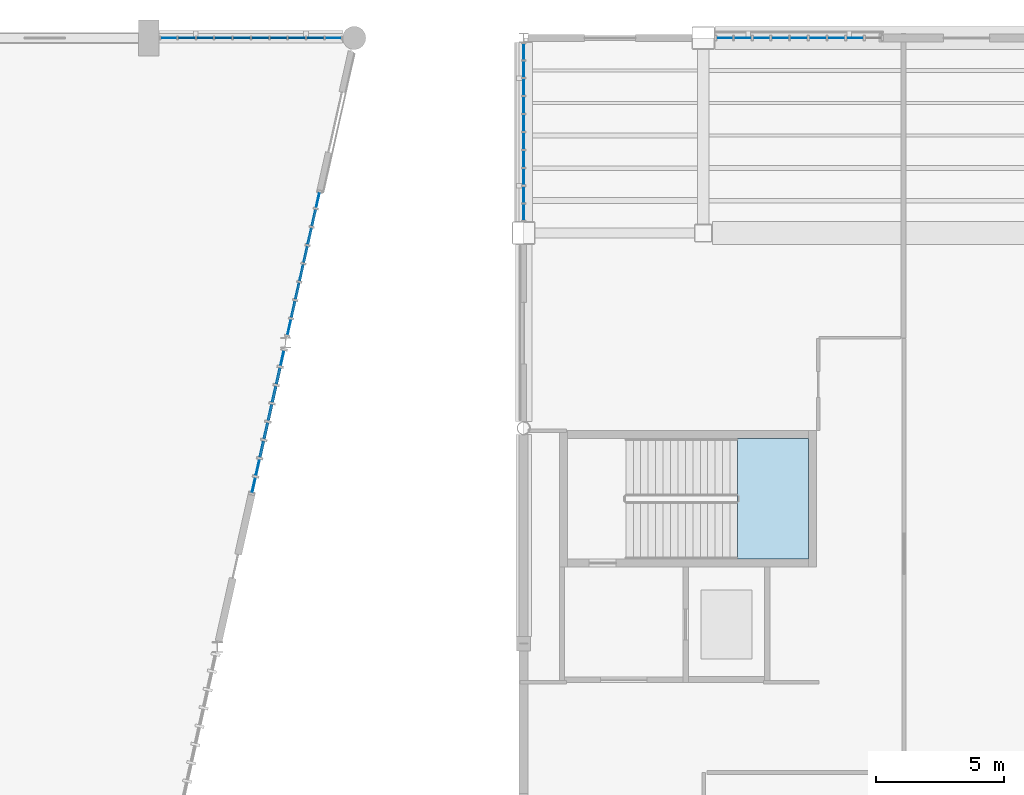
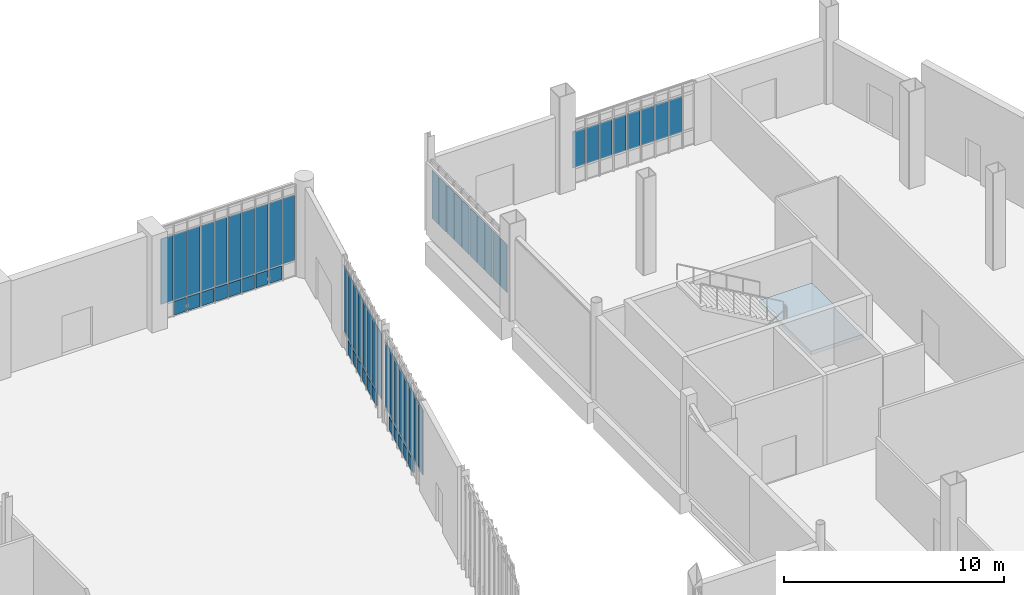
# One storey, part 68 of 111: 63 plates, 1 slab, 6 elements without a shape of their own.
"""IFC4 building model written with IfcOpenShell, lengths in metres."""

from ifc_helpers import new_model, si_unit, direction, frame, origin, origin_2d, place, context, subcontext, project, spatial, polyline, rectangle, outline, extrude, material, layer, layer_set, type_object, element, aggregate, save


model = new_model("IFC4")

# Units and contexts
model_context = context("Model", 3, precision=1e-05, world=origin(), true_north=direction((0.0, 1.0)))
body_context = subcontext(model_context, "Body", "Model", "MODEL_VIEW")
ifc_project = project(units=[si_unit("LENGTHUNIT", "METRE"), si_unit("AREAUNIT", "SQUARE_METRE"), si_unit("VOLUMEUNIT", "CUBIC_METRE"), si_unit("PLANEANGLEUNIT", "RADIAN"), si_unit("MASSUNIT", "GRAM", prefix="KILO")], contexts=[model_context])

# Site, building, storey
site_placement = place(None, origin())
site = spatial("IfcSite", under=ifc_project, at=site_placement, CompositionType="ELEMENT")
building_placement = place(site_placement, origin())
building = spatial("IfcBuilding", under=site, at=building_placement, Name="Larkvane Passage Sports Hall", CompositionType="ELEMENT")
storey_placement = place(building_placement, origin())
storey = spatial("IfcBuildingStorey", under=building, at=storey_placement, Name="L00", CompositionType="ELEMENT", Elevation=0.0)

# Curtain wall, plates
ifc_material_1 = material(Name="Thermally broken aluminium and low-E glazing", Category="aluminium")
curtain_wall_type_1 = type_object("IfcCurtainWallType", Name="CW-STICK-FOYER", PredefinedType="USERDEFINED", material=ifc_material_1)
curtain_wall_1_placement = place(storey_placement, origin())
curtain_wall_1 = element("IfcCurtainWall", 1, at=curtain_wall_1_placement, inside=storey, type_object=curtain_wall_type_1, Name="Curtain wall CW5-L00-014", ObjectType="STICK CURTAIN WALL", PredefinedType="USERDEFINED")
ifc_material_2 = material(Name="Fire-stopped shadow-box spandrel panel")
ifc_layer_1 = layer(ifc_material_2, 0.10498046875)
ifc_layer_set_1 = layer_set([ifc_layer_1], Name="Fire-stopped shadow-box spandrel panel")
plate_type_1 = type_object("IfcPlateType", Name="CWP-SPD-105", PredefinedType="CURTAIN_PANEL", material=ifc_layer_set_1)
plate_1_placement = place(storey_placement, frame((115.040771484375, 86.031494140625, 0.080078125), z_axis=(0.0, 0.0, 1.0), x_axis=(-0.219244189156, -0.975670018767, 0.0)))
plate_1 = element("IfcPlate", 2, at=plate_1_placement, type_object=plate_type_1, Name="CW-03 panel 2.1", PredefinedType="CURTAIN_PANEL", context=body_context, shape_type="SweptSolid", body=[
    extrude(rectangle(XDim=0.650390625, YDim=0.10498046875, at=origin_2d()), origin(), (0.0, 0.0, 1.0), 0.72998046875),
])
plate_2_placement = place(storey_placement, frame((114.880615234375, 85.31884765625, 0.080078125), z_axis=(0.0, 0.0, 1.0), x_axis=(-0.219244189156, -0.975670018767, 0.0)))
plate_2 = element("IfcPlate", 3, at=plate_2_placement, type_object=plate_type_1, Name="CW-03 panel 3.1", PredefinedType="CURTAIN_PANEL", context=body_context, shape_type="SweptSolid", body=[
    extrude(rectangle(XDim=0.650390625, YDim=0.10498046875, at=origin_2d()), origin(), (0.0, 0.0, 1.0), 0.72998046875),
])
plate_3_placement = place(storey_placement, frame((114.720458984375, 84.6064453125, 0.080078125), z_axis=(0.0, 0.0, 1.0), x_axis=(-0.219244189156, -0.975670018767, 0.0)))
plate_3 = element("IfcPlate", 4, at=plate_3_placement, type_object=plate_type_1, Name="CW-03 panel 4.1", PredefinedType="CURTAIN_PANEL", context=body_context, shape_type="SweptSolid", body=[
    extrude(rectangle(XDim=0.650390625, YDim=0.10498046875, at=origin_2d()), origin(), (0.0, 0.0, 1.0), 0.72998046875),
])
plate_4_placement = place(storey_placement, frame((114.560302734375, 83.893798828125, 0.080078125), z_axis=(0.0, 0.0, 1.0), x_axis=(-0.219244189156, -0.975670018767, 0.0)))
plate_4 = element("IfcPlate", 5, at=plate_4_placement, type_object=plate_type_1, Name="CW-03 panel 5.1", PredefinedType="CURTAIN_PANEL", context=body_context, shape_type="SweptSolid", body=[
    extrude(rectangle(XDim=0.650390625, YDim=0.10498046875, at=origin_2d()), origin(), (0.0, 0.0, 1.0), 0.72998046875),
])
plate_5_placement = place(storey_placement, frame((114.400390625, 83.181396484375, 0.080078125), z_axis=(0.0, 0.0, 1.0), x_axis=(-0.219244189156, -0.975670018767, 0.0)))
plate_5 = element("IfcPlate", 6, at=plate_5_placement, type_object=plate_type_1, Name="CW-03 panel 6.1", PredefinedType="CURTAIN_PANEL", context=body_context, shape_type="SweptSolid", body=[
    extrude(rectangle(XDim=0.650390625, YDim=0.10498046875, at=origin_2d()), origin(), (0.0, 0.0, 1.0), 0.72998046875),
])

curtain_wall_type_2 = type_object("IfcCurtainWallType", Name="CW-UNIT-COURT", PredefinedType="USERDEFINED", material=ifc_material_1)
curtain_wall_2_placement = place(storey_placement, origin())
curtain_wall_2 = element("IfcCurtainWall", 7, at=curtain_wall_2_placement, inside=storey, type_object=curtain_wall_type_2, Name="Curtain wall CW5-L00-012", ObjectType="UNITISED CURTAIN WALL", PredefinedType="USERDEFINED")
ifc_material_3 = material(Name="Insulated aluminium spandrel panel", Category="aluminium")
ifc_layer_2 = layer(ifc_material_3, 0.06494140625)
ifc_layer_set_2 = layer_set([ifc_layer_2], Name="Insulated aluminium spandrel panel")
plate_type_2 = type_object("IfcPlateType", Name="CWP-SPD-65", PredefinedType="CURTAIN_PANEL", material=ifc_layer_set_2)
plate_6_placement = place(storey_placement, frame((111.4697265625, 99.199951171875, 0.06005859375), z_axis=(0.0, 0.0, 1.0), x_axis=(1.0, 0.0, 0.0)))
plate_6 = element("IfcPlate", 8, at=plate_6_placement, type_object=plate_type_2, Name="CW-01 panel 2.1", PredefinedType="CURTAIN_PANEL", context=body_context, shape_type="SweptSolid", body=[
    extrude(rectangle(XDim=0.65576171875, YDim=0.06494140625, at=origin_2d()), origin(), (0.0, 0.0, 1.0), 0.760009765625),
])
plate_7_placement = place(storey_placement, frame((112.185546875, 99.199951171875, 0.06005859375), z_axis=(0.0, 0.0, 1.0), x_axis=(1.0, 0.0, 0.0)))
plate_7 = element("IfcPlate", 9, at=plate_7_placement, type_object=plate_type_2, Name="CW-01 panel 3.1", PredefinedType="CURTAIN_PANEL", context=body_context, shape_type="SweptSolid", body=[
    extrude(rectangle(XDim=0.65576171875, YDim=0.06494140625, at=origin_2d()), origin(), (0.0, 0.0, 1.0), 0.760009765625),
])
plate_8_placement = place(storey_placement, frame((112.9013671875, 99.199951171875, 0.06005859375), z_axis=(0.0, 0.0, 1.0), x_axis=(1.0, 0.0, 0.0)))
plate_8 = element("IfcPlate", 10, at=plate_8_placement, type_object=plate_type_2, Name="CW-01 panel 4.1", PredefinedType="CURTAIN_PANEL", context=body_context, shape_type="SweptSolid", body=[
    extrude(rectangle(XDim=0.65576171875, YDim=0.06494140625, at=origin_2d()), origin(), (0.0, 0.0, 1.0), 0.760009765625),
])
plate_9_placement = place(storey_placement, frame((113.6171875, 99.199951171875, 0.06005859375), z_axis=(0.0, 0.0, 1.0), x_axis=(1.0, 0.0, 0.0)))
plate_9 = element("IfcPlate", 11, at=plate_9_placement, type_object=plate_type_2, Name="CW-01 panel 5.1", PredefinedType="CURTAIN_PANEL", context=body_context, shape_type="SweptSolid", body=[
    extrude(rectangle(XDim=0.65576171875, YDim=0.06494140625, at=origin_2d()), origin(), (0.0, 0.0, 1.0), 0.760009765625),
])
plate_10_placement = place(storey_placement, frame((114.3330078125, 99.199951171875, 0.06005859375), z_axis=(0.0, 0.0, 1.0), x_axis=(1.0, 0.0, 0.0)))
plate_10 = element("IfcPlate", 12, at=plate_10_placement, type_object=plate_type_2, Name="CW-01 panel 6.1", PredefinedType="CURTAIN_PANEL", context=body_context, shape_type="SweptSolid", body=[
    extrude(rectangle(XDim=0.65576171875, YDim=0.06494140625, at=origin_2d()), origin(), (0.0, 0.0, 1.0), 0.760009765625),
])
plate_11_placement = place(storey_placement, frame((115.048583984375, 99.199951171875, 0.06005859375), z_axis=(0.0, 0.0, 1.0), x_axis=(1.0, 0.0, 0.0)))
plate_11 = element("IfcPlate", 13, at=plate_11_placement, type_object=plate_type_2, Name="CW-01 panel 7.1", PredefinedType="CURTAIN_PANEL", context=body_context, shape_type="SweptSolid", body=[
    extrude(rectangle(XDim=0.65576171875, YDim=0.06494140625, at=origin_2d()), origin(), (0.0, 0.0, 1.0), 0.760009765625),
])
plate_12_placement = place(storey_placement, frame((115.764404296875, 99.199951171875, 0.06005859375), z_axis=(0.0, 0.0, 1.0), x_axis=(1.0, 0.0, 0.0)))
plate_12 = element("IfcPlate", 14, at=plate_12_placement, type_object=plate_type_2, Name="CW-01 panel 8.1", PredefinedType="CURTAIN_PANEL", context=body_context, shape_type="SweptSolid", body=[
    extrude(rectangle(XDim=0.65576171875, YDim=0.06494140625, at=origin_2d()), origin(), (0.0, 0.0, 1.0), 0.760009765625),
])
plate_13_placement = place(storey_placement, frame((116.480224609375, 99.199951171875, 0.06005859375), z_axis=(0.0, 0.0, 1.0), x_axis=(1.0, 0.0, 0.0)))
plate_13 = element("IfcPlate", 15, at=plate_13_placement, type_object=plate_type_2, Name="CW-01 panel 9.1", PredefinedType="CURTAIN_PANEL", context=body_context, shape_type="SweptSolid", body=[
    extrude(rectangle(XDim=0.65576171875, YDim=0.06494140625, at=origin_2d()), origin(), (0.0, 0.0, 1.0), 0.760009765625),
])

curtain_wall_type_3 = type_object("IfcCurtainWallType", Name="CW-UNIT-VEIL", PredefinedType="USERDEFINED", material=ifc_material_1)
curtain_wall_3_placement = place(storey_placement, origin())
curtain_wall_3 = element("IfcCurtainWall", 16, at=curtain_wall_3_placement, inside=storey, type_object=curtain_wall_type_3, Name="Curtain wall CW5-L00-013", ObjectType="UNITISED CURTAIN WALL", PredefinedType="USERDEFINED")
ifc_material_4 = material(Name="Mineral-wool insulated spandrel cassette")
ifc_layer_3 = layer(ifc_material_4, 0.0849609375)
ifc_layer_set_3 = layer_set([ifc_layer_3], Name="Mineral-wool insulated spandrel cassette")
plate_type_3 = type_object("IfcPlateType", Name="CWP-SPD-85", PredefinedType="CURTAIN_PANEL", material=ifc_layer_set_3)
plate_14_placement = place(storey_placement, frame((116.42578125, 92.19482421875, 0.06982421875), z_axis=(0.0, 0.0, 1.0), x_axis=(-0.219243647747, -0.975670140428, 0.0)))
plate_14 = element("IfcPlate", 17, at=plate_14_placement, type_object=plate_type_3, Name="CW-02 panel 2.1", PredefinedType="CURTAIN_PANEL", context=body_context, shape_type="SweptSolid", body=[
    extrude(rectangle(XDim=0.6611328125, YDim=0.0849609375, at=origin_2d()), origin(), (0.0, 0.0, 1.0), 0.7451171875),
])
plate_15_placement = place(storey_placement, frame((116.265625, 91.481689453125, 0.06982421875), z_axis=(0.0, 0.0, 1.0), x_axis=(-0.219243647747, -0.975670140428, 0.0)))
plate_15 = element("IfcPlate", 18, at=plate_15_placement, type_object=plate_type_3, Name="CW-02 panel 3.1", PredefinedType="CURTAIN_PANEL", context=body_context, shape_type="SweptSolid", body=[
    extrude(rectangle(XDim=0.6611328125, YDim=0.0849609375, at=origin_2d()), origin(), (0.0, 0.0, 1.0), 0.7451171875),
])
plate_16_placement = place(storey_placement, frame((116.105224609375, 90.768310546875, 0.06982421875), z_axis=(0.0, 0.0, 1.0), x_axis=(-0.219243647747, -0.975670140428, 0.0)))
plate_16 = element("IfcPlate", 19, at=plate_16_placement, type_object=plate_type_3, Name="CW-02 panel 4.1", PredefinedType="CURTAIN_PANEL", context=body_context, shape_type="SweptSolid", body=[
    extrude(rectangle(XDim=0.6611328125, YDim=0.0849609375, at=origin_2d()), origin(), (0.0, 0.0, 1.0), 0.7451171875),
])
plate_17_placement = place(storey_placement, frame((115.945068359375, 90.05517578125, 0.06982421875), z_axis=(0.0, 0.0, 1.0), x_axis=(-0.219243647747, -0.975670140428, 0.0)))
plate_17 = element("IfcPlate", 20, at=plate_17_placement, type_object=plate_type_3, Name="CW-02 panel 5.1", PredefinedType="CURTAIN_PANEL", context=body_context, shape_type="SweptSolid", body=[
    extrude(rectangle(XDim=0.6611328125, YDim=0.0849609375, at=origin_2d()), origin(), (0.0, 0.0, 1.0), 0.7451171875),
])
plate_18_placement = place(storey_placement, frame((115.78466796875, 89.341796875, 0.06982421875), z_axis=(0.0, 0.0, 1.0), x_axis=(-0.219243647747, -0.975670140428, 0.0)))
plate_18 = element("IfcPlate", 21, at=plate_18_placement, type_object=plate_type_3, Name="CW-02 panel 6.1", PredefinedType="CURTAIN_PANEL", context=body_context, shape_type="SweptSolid", body=[
    extrude(rectangle(XDim=0.6611328125, YDim=0.0849609375, at=origin_2d()), origin(), (0.0, 0.0, 1.0), 0.7451171875),
])
plate_19_placement = place(storey_placement, frame((115.62451171875, 88.628662109375, 0.06982421875), z_axis=(0.0, 0.0, 1.0), x_axis=(-0.219243647747, -0.975670140428, 0.0)))
plate_19 = element("IfcPlate", 22, at=plate_19_placement, type_object=plate_type_3, Name="CW-02 panel 7.1", PredefinedType="CURTAIN_PANEL", context=body_context, shape_type="SweptSolid", body=[
    extrude(rectangle(XDim=0.6611328125, YDim=0.0849609375, at=origin_2d()), origin(), (0.0, 0.0, 1.0), 0.7451171875),
])

# Plate
ifc_material_5 = material(Name="Solar-control low-E double glazing", Category="glass")
ifc_layer_4 = layer(ifc_material_5, 0.028076171875)
ifc_layer_set_4 = layer_set([ifc_layer_4], Name="Solar-control low-E double glazing")
plate_type_4 = type_object("IfcPlateType", Name="CWP-VIS-28", PredefinedType="CURTAIN_PANEL", material=ifc_layer_set_4)
plate_20_placement = place(storey_placement, frame((110.768798828125, 99.199951171875, 0.8798828125), z_axis=(0.0, 0.0, 1.0), x_axis=(1.0, 0.0, 0.0)))
plate_20 = element("IfcPlate", 23, at=plate_20_placement, type_object=plate_type_4, Name="CW-01 panel 1.2", PredefinedType="CURTAIN_PANEL", context=body_context, shape_type="SweptSolid", body=[
    extrude(rectangle(XDim=0.625732421875, YDim=0.028076171875, at=origin_2d()), origin(), (0.0, 0.0, 1.0), 3.639892578125),
])

plate_21_placement = place(storey_placement, frame((111.4697265625, 99.199951171875, 0.8798828125), z_axis=(0.0, 0.0, 1.0), x_axis=(1.0, 0.0, 0.0)))
plate_21 = element("IfcPlate", 24, at=plate_21_placement, type_object=plate_type_4, Name="CW-01 panel 2.2", PredefinedType="CURTAIN_PANEL", context=body_context, shape_type="SweptSolid", body=[
    extrude(rectangle(XDim=0.65576171875, YDim=0.028076171875, at=origin_2d()), origin(), (0.0, 0.0, 1.0), 3.639892578125),
])

plate_22_placement = place(storey_placement, frame((112.185546875, 99.199951171875, 0.8798828125), z_axis=(0.0, 0.0, 1.0), x_axis=(1.0, 0.0, 0.0)))
plate_22 = element("IfcPlate", 25, at=plate_22_placement, type_object=plate_type_4, Name="CW-01 panel 3.2", PredefinedType="CURTAIN_PANEL", context=body_context, shape_type="SweptSolid", body=[
    extrude(rectangle(XDim=0.65576171875, YDim=0.028076171875, at=origin_2d()), origin(), (0.0, 0.0, 1.0), 3.639892578125),
])

plate_23_placement = place(storey_placement, frame((112.9013671875, 99.199951171875, 0.8798828125), z_axis=(0.0, 0.0, 1.0), x_axis=(1.0, 0.0, 0.0)))
plate_23 = element("IfcPlate", 26, at=plate_23_placement, type_object=plate_type_4, Name="CW-01 panel 4.2", PredefinedType="CURTAIN_PANEL", context=body_context, shape_type="SweptSolid", body=[
    extrude(rectangle(XDim=0.65576171875, YDim=0.028076171875, at=origin_2d()), origin(), (0.0, 0.0, 1.0), 3.639892578125),
])

plate_24_placement = place(storey_placement, frame((113.6171875, 99.199951171875, 0.8798828125), z_axis=(0.0, 0.0, 1.0), x_axis=(1.0, 0.0, 0.0)))
plate_24 = element("IfcPlate", 27, at=plate_24_placement, type_object=plate_type_4, Name="CW-01 panel 5.2", PredefinedType="CURTAIN_PANEL", context=body_context, shape_type="SweptSolid", body=[
    extrude(rectangle(XDim=0.65576171875, YDim=0.028076171875, at=origin_2d()), origin(), (0.0, 0.0, 1.0), 3.639892578125),
])

plate_25_placement = place(storey_placement, frame((114.3330078125, 99.199951171875, 0.8798828125), z_axis=(0.0, 0.0, 1.0), x_axis=(1.0, 0.0, 0.0)))
plate_25 = element("IfcPlate", 28, at=plate_25_placement, type_object=plate_type_4, Name="CW-01 panel 6.2", PredefinedType="CURTAIN_PANEL", context=body_context, shape_type="SweptSolid", body=[
    extrude(rectangle(XDim=0.65576171875, YDim=0.028076171875, at=origin_2d()), origin(), (0.0, 0.0, 1.0), 3.639892578125),
])

plate_26_placement = place(storey_placement, frame((115.048583984375, 99.199951171875, 0.8798828125), z_axis=(0.0, 0.0, 1.0), x_axis=(1.0, 0.0, 0.0)))
plate_26 = element("IfcPlate", 29, at=plate_26_placement, type_object=plate_type_4, Name="CW-01 panel 7.2", PredefinedType="CURTAIN_PANEL", context=body_context, shape_type="SweptSolid", body=[
    extrude(rectangle(XDim=0.65576171875, YDim=0.028076171875, at=origin_2d()), origin(), (0.0, 0.0, 1.0), 3.639892578125),
])

plate_27_placement = place(storey_placement, frame((115.764404296875, 99.199951171875, 0.8798828125), z_axis=(0.0, 0.0, 1.0), x_axis=(1.0, 0.0, 0.0)))
plate_27 = element("IfcPlate", 30, at=plate_27_placement, type_object=plate_type_4, Name="CW-01 panel 8.2", PredefinedType="CURTAIN_PANEL", context=body_context, shape_type="SweptSolid", body=[
    extrude(rectangle(XDim=0.65576171875, YDim=0.028076171875, at=origin_2d()), origin(), (0.0, 0.0, 1.0), 3.639892578125),
])

plate_28_placement = place(storey_placement, frame((116.480224609375, 99.199951171875, 0.8798828125), z_axis=(0.0, 0.0, 1.0), x_axis=(1.0, 0.0, 0.0)))
plate_28 = element("IfcPlate", 31, at=plate_28_placement, type_object=plate_type_4, Name="CW-01 panel 9.2", PredefinedType="CURTAIN_PANEL", context=body_context, shape_type="SweptSolid", body=[
    extrude(rectangle(XDim=0.65576171875, YDim=0.028076171875, at=origin_2d()), origin(), (0.0, 0.0, 1.0), 3.639892578125),
])

plate_29_placement = place(storey_placement, frame((117.18115234375, 99.199951171875, 0.8798828125), z_axis=(0.0, 0.0, 1.0), x_axis=(1.0, 0.0, 0.0)))
plate_29 = element("IfcPlate", 32, at=plate_29_placement, type_object=plate_type_4, Name="CW-01 panel 10.2", PredefinedType="CURTAIN_PANEL", context=body_context, shape_type="SweptSolid", body=[
    extrude(rectangle(XDim=0.625732421875, YDim=0.028076171875, at=origin_2d()), origin(), (0.0, 0.0, 1.0), 3.639892578125),
])

aggregate(curtain_wall_2, [plate_20, plate_6, plate_21, plate_7, plate_22, plate_8, plate_23, plate_9, plate_24, plate_10, plate_25, plate_11, plate_26, plate_12, plate_27, plate_13, plate_28, plate_29])

# Curtain wall, plates
curtain_wall_4_placement = place(storey_placement, origin())
curtain_wall_4 = element("IfcCurtainWall", 33, at=curtain_wall_4_placement, inside=storey, type_object=curtain_wall_type_2, Name="Curtain wall CW5-L00-020", ObjectType="UNITISED CURTAIN WALL", PredefinedType="USERDEFINED")
plate_30_placement = place(storey_placement, frame((124.60009765625, 92.41015625, 0.8798828125), z_axis=(0.0, 0.0, 1.0), x_axis=(0.0, 1.0, 0.0)))
plate_30 = element("IfcPlate", 34, at=plate_30_placement, type_object=plate_type_4, Name="CW-01 panel 1.2", PredefinedType="CURTAIN_PANEL", context=body_context, shape_type="SweptSolid", body=[
    extrude(rectangle(XDim=0.6083984375, YDim=0.028076171875, at=origin_2d()), origin(), (0.0, 0.0, 1.0), 2.657958984375),
])
plate_31_placement = place(storey_placement, frame((124.60009765625, 93.093505859375, 0.8798828125), z_axis=(0.0, 0.0, 1.0), x_axis=(0.0, 1.0, 0.0)))
plate_31 = element("IfcPlate", 35, at=plate_31_placement, type_object=plate_type_4, Name="CW-01 panel 2.2", PredefinedType="CURTAIN_PANEL", context=body_context, shape_type="SweptSolid", body=[
    extrude(rectangle(XDim=0.63818359375, YDim=0.028076171875, at=origin_2d()), origin(), (0.0, 0.0, 1.0), 2.657958984375),
])
plate_32_placement = place(storey_placement, frame((124.60009765625, 93.791748046875, 0.8798828125), z_axis=(0.0, 0.0, 1.0), x_axis=(0.0, 1.0, 0.0)))
plate_32 = element("IfcPlate", 36, at=plate_32_placement, type_object=plate_type_4, Name="CW-01 panel 3.2", PredefinedType="CURTAIN_PANEL", context=body_context, shape_type="SweptSolid", body=[
    extrude(rectangle(XDim=0.63818359375, YDim=0.028076171875, at=origin_2d()), origin(), (0.0, 0.0, 1.0), 2.657958984375),
])
plate_33_placement = place(storey_placement, frame((124.60009765625, 94.489990234375, 0.8798828125), z_axis=(0.0, 0.0, 1.0), x_axis=(0.0, 1.0, 0.0)))
plate_33 = element("IfcPlate", 37, at=plate_33_placement, type_object=plate_type_4, Name="CW-01 panel 4.2", PredefinedType="CURTAIN_PANEL", context=body_context, shape_type="SweptSolid", body=[
    extrude(rectangle(XDim=0.63818359375, YDim=0.028076171875, at=origin_2d()), origin(), (0.0, 0.0, 1.0), 2.657958984375),
])
plate_34_placement = place(storey_placement, frame((124.60009765625, 95.188232421875, 0.8798828125), z_axis=(0.0, 0.0, 1.0), x_axis=(0.0, 1.0, 0.0)))
plate_34 = element("IfcPlate", 38, at=plate_34_placement, type_object=plate_type_4, Name="CW-01 panel 5.2", PredefinedType="CURTAIN_PANEL", context=body_context, shape_type="SweptSolid", body=[
    extrude(rectangle(XDim=0.63818359375, YDim=0.028076171875, at=origin_2d()), origin(), (0.0, 0.0, 1.0), 2.657958984375),
])
plate_35_placement = place(storey_placement, frame((124.60009765625, 95.88671875, 0.8798828125), z_axis=(0.0, 0.0, 1.0), x_axis=(0.0, 1.0, 0.0)))
plate_35 = element("IfcPlate", 39, at=plate_35_placement, type_object=plate_type_4, Name="CW-01 panel 6.2", PredefinedType="CURTAIN_PANEL", context=body_context, shape_type="SweptSolid", body=[
    extrude(rectangle(XDim=0.63818359375, YDim=0.028076171875, at=origin_2d()), origin(), (0.0, 0.0, 1.0), 2.657958984375),
])
plate_36_placement = place(storey_placement, frame((124.60009765625, 96.5849609375, 0.8798828125), z_axis=(0.0, 0.0, 1.0), x_axis=(0.0, 1.0, 0.0)))
plate_36 = element("IfcPlate", 40, at=plate_36_placement, type_object=plate_type_4, Name="CW-01 panel 7.2", PredefinedType="CURTAIN_PANEL", context=body_context, shape_type="SweptSolid", body=[
    extrude(rectangle(XDim=0.63818359375, YDim=0.028076171875, at=origin_2d()), origin(), (0.0, 0.0, 1.0), 2.657958984375),
])
plate_37_placement = place(storey_placement, frame((124.60009765625, 97.283203125, 0.8798828125), z_axis=(0.0, 0.0, 1.0), x_axis=(0.0, 1.0, 0.0)))
plate_37 = element("IfcPlate", 41, at=plate_37_placement, type_object=plate_type_4, Name="CW-01 panel 8.2", PredefinedType="CURTAIN_PANEL", context=body_context, shape_type="SweptSolid", body=[
    extrude(rectangle(XDim=0.63818359375, YDim=0.028076171875, at=origin_2d()), origin(), (0.0, 0.0, 1.0), 2.657958984375),
])
plate_38_placement = place(storey_placement, frame((124.60009765625, 97.9814453125, 0.8798828125), z_axis=(0.0, 0.0, 1.0), x_axis=(0.0, 1.0, 0.0)))
plate_38 = element("IfcPlate", 42, at=plate_38_placement, type_object=plate_type_4, Name="CW-01 panel 9.2", PredefinedType="CURTAIN_PANEL", context=body_context, shape_type="SweptSolid", body=[
    extrude(rectangle(XDim=0.63818359375, YDim=0.028076171875, at=origin_2d()), origin(), (0.0, 0.0, 1.0), 2.657958984375),
])
plate_39_placement = place(storey_placement, frame((124.60009765625, 98.664794921875, 0.8798828125), z_axis=(0.0, 0.0, 1.0), x_axis=(0.0, 1.0, 0.0)))
plate_39 = element("IfcPlate", 43, at=plate_39_placement, type_object=plate_type_4, Name="CW-01 panel 10.2", PredefinedType="CURTAIN_PANEL", context=body_context, shape_type="SweptSolid", body=[
    extrude(rectangle(XDim=0.6083984375, YDim=0.028076171875, at=origin_2d()), origin(), (0.0, 0.0, 1.0), 2.657958984375),
])
aggregate(curtain_wall_4, [plate_30, plate_31, plate_32, plate_33, plate_34, plate_35, plate_36, plate_37, plate_38, plate_39])

# Plate
ifc_material_6 = material(Name="Laminated acoustic low-E glazing", Category="glass")
ifc_layer_5 = layer(ifc_material_6, 0.031982421875)
ifc_layer_set_5 = layer_set([ifc_layer_5], Name="Laminated acoustic low-E glazing")
plate_type_5 = type_object("IfcPlateType", Name="CWP-VIS-32", PredefinedType="CURTAIN_PANEL", material=ifc_layer_set_5)
plate_40_placement = place(storey_placement, frame((116.582275390625, 92.89111328125, 0.885009765625), z_axis=(0.0, 0.0, 1.0), x_axis=(-0.219243647747, -0.975670140428, 0.0)))
plate_40 = element("IfcPlate", 44, at=plate_40_placement, type_object=plate_type_5, Name="CW-02 panel 1.2", PredefinedType="CURTAIN_PANEL", context=body_context, shape_type="SweptSolid", body=[
    extrude(rectangle(XDim=0.6259765625, YDim=0.031982421875, at=origin_2d()), origin(), (0.0, 0.0, 1.0), 3.6298828125),
])

plate_41_placement = place(storey_placement, frame((116.42578125, 92.19482421875, 0.885009765625), z_axis=(0.0, 0.0, 1.0), x_axis=(-0.219243647747, -0.975670140428, 0.0)))
plate_41 = element("IfcPlate", 45, at=plate_41_placement, type_object=plate_type_5, Name="CW-02 panel 2.2", PredefinedType="CURTAIN_PANEL", context=body_context, shape_type="SweptSolid", body=[
    extrude(rectangle(XDim=0.6611328125, YDim=0.031982421875, at=origin_2d()), origin(), (0.0, 0.0, 1.0), 3.6298828125),
])

plate_42_placement = place(storey_placement, frame((116.265625, 91.481689453125, 0.885009765625), z_axis=(0.0, 0.0, 1.0), x_axis=(-0.219243647747, -0.975670140428, 0.0)))
plate_42 = element("IfcPlate", 46, at=plate_42_placement, type_object=plate_type_5, Name="CW-02 panel 3.2", PredefinedType="CURTAIN_PANEL", context=body_context, shape_type="SweptSolid", body=[
    extrude(rectangle(XDim=0.6611328125, YDim=0.031982421875, at=origin_2d()), origin(), (0.0, 0.0, 1.0), 3.6298828125),
])

plate_43_placement = place(storey_placement, frame((116.105224609375, 90.768310546875, 0.885009765625), z_axis=(0.0, 0.0, 1.0), x_axis=(-0.219243647747, -0.975670140428, 0.0)))
plate_43 = element("IfcPlate", 47, at=plate_43_placement, type_object=plate_type_5, Name="CW-02 panel 4.2", PredefinedType="CURTAIN_PANEL", context=body_context, shape_type="SweptSolid", body=[
    extrude(rectangle(XDim=0.6611328125, YDim=0.031982421875, at=origin_2d()), origin(), (0.0, 0.0, 1.0), 3.6298828125),
])

plate_44_placement = place(storey_placement, frame((115.945068359375, 90.05517578125, 0.885009765625), z_axis=(0.0, 0.0, 1.0), x_axis=(-0.219243647747, -0.975670140428, 0.0)))
plate_44 = element("IfcPlate", 48, at=plate_44_placement, type_object=plate_type_5, Name="CW-02 panel 5.2", PredefinedType="CURTAIN_PANEL", context=body_context, shape_type="SweptSolid", body=[
    extrude(rectangle(XDim=0.6611328125, YDim=0.031982421875, at=origin_2d()), origin(), (0.0, 0.0, 1.0), 3.6298828125),
])

plate_45_placement = place(storey_placement, frame((115.78466796875, 89.341796875, 0.885009765625), z_axis=(0.0, 0.0, 1.0), x_axis=(-0.219243647747, -0.975670140428, 0.0)))
plate_45 = element("IfcPlate", 49, at=plate_45_placement, type_object=plate_type_5, Name="CW-02 panel 6.2", PredefinedType="CURTAIN_PANEL", context=body_context, shape_type="SweptSolid", body=[
    extrude(rectangle(XDim=0.6611328125, YDim=0.031982421875, at=origin_2d()), origin(), (0.0, 0.0, 1.0), 3.6298828125),
])

plate_46_placement = place(storey_placement, frame((115.62451171875, 88.628662109375, 0.885009765625), z_axis=(0.0, 0.0, 1.0), x_axis=(-0.219243647747, -0.975670140428, 0.0)))
plate_46 = element("IfcPlate", 50, at=plate_46_placement, type_object=plate_type_5, Name="CW-02 panel 7.2", PredefinedType="CURTAIN_PANEL", context=body_context, shape_type="SweptSolid", body=[
    extrude(rectangle(XDim=0.6611328125, YDim=0.031982421875, at=origin_2d()), origin(), (0.0, 0.0, 1.0), 3.6298828125),
])

plate_47_placement = place(storey_placement, frame((115.468017578125, 87.932373046875, 0.885009765625), z_axis=(0.0, 0.0, 1.0), x_axis=(-0.219243647747, -0.975670140428, 0.0)))
plate_47 = element("IfcPlate", 51, at=plate_47_placement, type_object=plate_type_5, Name="CW-02 panel 8.2", PredefinedType="CURTAIN_PANEL", context=body_context, shape_type="SweptSolid", body=[
    extrude(rectangle(XDim=0.6259765625, YDim=0.031982421875, at=origin_2d()), origin(), (0.0, 0.0, 1.0), 3.6298828125),
])

aggregate(curtain_wall_3, [plate_40, plate_14, plate_41, plate_15, plate_42, plate_16, plate_43, plate_17, plate_44, plate_18, plate_45, plate_19, plate_46, plate_47])

# Curtain wall, plates
curtain_wall_5_placement = place(storey_placement, origin())
curtain_wall_5 = element("IfcCurtainWall", 52, at=curtain_wall_5_placement, inside=storey, type_object=curtain_wall_type_3, Name="Curtain wall CW5-L00-021", ObjectType="UNITISED CURTAIN WALL", PredefinedType="USERDEFINED")
plate_48_placement = place(storey_placement, frame((132.427490234375, 99.199951171875, 0.885009765625), z_axis=(0.0, 0.0, 1.0), x_axis=(1.0, 0.0, 0.0)))
plate_48 = element("IfcPlate", 53, at=plate_48_placement, type_object=plate_type_5, Name="CW-02 panel 1.2", PredefinedType="CURTAIN_PANEL", context=body_context, shape_type="SweptSolid", body=[
    extrude(rectangle(XDim=0.623291015625, YDim=0.031982421875, at=origin_2d()), origin(), (0.0, 0.0, 1.0), 1.998046875),
])
plate_49_placement = place(storey_placement, frame((133.138427734375, 99.199951171875, 0.885009765625), z_axis=(0.0, 0.0, 1.0), x_axis=(1.0, 0.0, 0.0)))
plate_49 = element("IfcPlate", 54, at=plate_49_placement, type_object=plate_type_5, Name="CW-02 panel 2.2", PredefinedType="CURTAIN_PANEL", context=body_context, shape_type="SweptSolid", body=[
    extrude(rectangle(XDim=0.658203125, YDim=0.031982421875, at=origin_2d()), origin(), (0.0, 0.0, 1.0), 1.998046875),
])
plate_50_placement = place(storey_placement, frame((133.866455078125, 99.199951171875, 0.885009765625), z_axis=(0.0, 0.0, 1.0), x_axis=(1.0, 0.0, 0.0)))
plate_50 = element("IfcPlate", 55, at=plate_50_placement, type_object=plate_type_5, Name="CW-02 panel 3.2", PredefinedType="CURTAIN_PANEL", context=body_context, shape_type="SweptSolid", body=[
    extrude(rectangle(XDim=0.658203125, YDim=0.031982421875, at=origin_2d()), origin(), (0.0, 0.0, 1.0), 1.998046875),
])
plate_51_placement = place(storey_placement, frame((134.5947265625, 99.199951171875, 0.885009765625), z_axis=(0.0, 0.0, 1.0), x_axis=(1.0, 0.0, 0.0)))
plate_51 = element("IfcPlate", 56, at=plate_51_placement, type_object=plate_type_5, Name="CW-02 panel 4.2", PredefinedType="CURTAIN_PANEL", context=body_context, shape_type="SweptSolid", body=[
    extrude(rectangle(XDim=0.658203125, YDim=0.031982421875, at=origin_2d()), origin(), (0.0, 0.0, 1.0), 1.998046875),
])
plate_52_placement = place(storey_placement, frame((135.322998046875, 99.199951171875, 0.885009765625), z_axis=(0.0, 0.0, 1.0), x_axis=(1.0, 0.0, 0.0)))
plate_52 = element("IfcPlate", 57, at=plate_52_placement, type_object=plate_type_5, Name="CW-02 panel 5.2", PredefinedType="CURTAIN_PANEL", context=body_context, shape_type="SweptSolid", body=[
    extrude(rectangle(XDim=0.658203125, YDim=0.031982421875, at=origin_2d()), origin(), (0.0, 0.0, 1.0), 1.998046875),
])
plate_53_placement = place(storey_placement, frame((136.05126953125, 99.199951171875, 0.885009765625), z_axis=(0.0, 0.0, 1.0), x_axis=(1.0, 0.0, 0.0)))
plate_53 = element("IfcPlate", 58, at=plate_53_placement, type_object=plate_type_5, Name="CW-02 panel 6.2", PredefinedType="CURTAIN_PANEL", context=body_context, shape_type="SweptSolid", body=[
    extrude(rectangle(XDim=0.658203125, YDim=0.031982421875, at=origin_2d()), origin(), (0.0, 0.0, 1.0), 1.998046875),
])
plate_54_placement = place(storey_placement, frame((136.779541015625, 99.199951171875, 0.885009765625), z_axis=(0.0, 0.0, 1.0), x_axis=(1.0, 0.0, 0.0)))
plate_54 = element("IfcPlate", 59, at=plate_54_placement, type_object=plate_type_5, Name="CW-02 panel 7.2", PredefinedType="CURTAIN_PANEL", context=body_context, shape_type="SweptSolid", body=[
    extrude(rectangle(XDim=0.658203125, YDim=0.031982421875, at=origin_2d()), origin(), (0.0, 0.0, 1.0), 1.998046875),
])
plate_55_placement = place(storey_placement, frame((137.507568359375, 99.199951171875, 0.885009765625), z_axis=(0.0, 0.0, 1.0), x_axis=(1.0, 0.0, 0.0)))
plate_55 = element("IfcPlate", 60, at=plate_55_placement, type_object=plate_type_5, Name="CW-02 panel 8.2", PredefinedType="CURTAIN_PANEL", context=body_context, shape_type="SweptSolid", body=[
    extrude(rectangle(XDim=0.658203125, YDim=0.031982421875, at=origin_2d()), origin(), (0.0, 0.0, 1.0), 1.998046875),
])
aggregate(curtain_wall_5, [plate_48, plate_49, plate_50, plate_51, plate_52, plate_53, plate_54, plate_55])

# Plate
ifc_material_7 = material(Name="High-impact court low-E glazing", Category="glass")
ifc_layer_6 = layer(ifc_material_7, 0.035888671875)
ifc_layer_set_6 = layer_set([ifc_layer_6], Name="High-impact court low-E glazing")
plate_type_6 = type_object("IfcPlateType", Name="CWP-VIS-36", PredefinedType="CURTAIN_PANEL", material=ifc_layer_set_6)
plate_56_placement = place(storey_placement, frame((115.196533203125, 86.724365234375, 0.889892578125), z_axis=(0.0, 0.0, 1.0), x_axis=(-0.219244189156, -0.975670018767, 0.0)))
plate_56 = element("IfcPlate", 61, at=plate_56_placement, type_object=plate_type_6, Name="CW-03 panel 1.2", PredefinedType="CURTAIN_PANEL", context=body_context, shape_type="SweptSolid", body=[
    extrude(rectangle(XDim=0.6103515625, YDim=0.035888671875, at=origin_2d()), origin(), (0.0, 0.0, 1.0), 3.6201171875),
])

plate_57_placement = place(storey_placement, frame((115.040771484375, 86.031494140625, 0.889892578125), z_axis=(0.0, 0.0, 1.0), x_axis=(-0.219244189156, -0.975670018767, 0.0)))
plate_57 = element("IfcPlate", 62, at=plate_57_placement, type_object=plate_type_6, Name="CW-03 panel 2.2", PredefinedType="CURTAIN_PANEL", context=body_context, shape_type="SweptSolid", body=[
    extrude(rectangle(XDim=0.650390625, YDim=0.035888671875, at=origin_2d()), origin(), (0.0, 0.0, 1.0), 3.6201171875),
])

plate_58_placement = place(storey_placement, frame((114.880615234375, 85.31884765625, 0.889892578125), z_axis=(0.0, 0.0, 1.0), x_axis=(-0.219244189156, -0.975670018767, 0.0)))
plate_58 = element("IfcPlate", 63, at=plate_58_placement, type_object=plate_type_6, Name="CW-03 panel 3.2", PredefinedType="CURTAIN_PANEL", context=body_context, shape_type="SweptSolid", body=[
    extrude(rectangle(XDim=0.650390625, YDim=0.035888671875, at=origin_2d()), origin(), (0.0, 0.0, 1.0), 3.6201171875),
])

plate_59_placement = place(storey_placement, frame((114.720458984375, 84.6064453125, 0.889892578125), z_axis=(0.0, 0.0, 1.0), x_axis=(-0.219244189156, -0.975670018767, 0.0)))
plate_59 = element("IfcPlate", 64, at=plate_59_placement, type_object=plate_type_6, Name="CW-03 panel 4.2", PredefinedType="CURTAIN_PANEL", context=body_context, shape_type="SweptSolid", body=[
    extrude(rectangle(XDim=0.650390625, YDim=0.035888671875, at=origin_2d()), origin(), (0.0, 0.0, 1.0), 3.6201171875),
])

plate_60_placement = place(storey_placement, frame((114.560302734375, 83.893798828125, 0.889892578125), z_axis=(0.0, 0.0, 1.0), x_axis=(-0.219244189156, -0.975670018767, 0.0)))
plate_60 = element("IfcPlate", 65, at=plate_60_placement, type_object=plate_type_6, Name="CW-03 panel 5.2", PredefinedType="CURTAIN_PANEL", context=body_context, shape_type="SweptSolid", body=[
    extrude(rectangle(XDim=0.650390625, YDim=0.035888671875, at=origin_2d()), origin(), (0.0, 0.0, 1.0), 3.6201171875),
])

plate_61_placement = place(storey_placement, frame((114.400390625, 83.181396484375, 0.889892578125), z_axis=(0.0, 0.0, 1.0), x_axis=(-0.219244189156, -0.975670018767, 0.0)))
plate_61 = element("IfcPlate", 66, at=plate_61_placement, type_object=plate_type_6, Name="CW-03 panel 6.2", PredefinedType="CURTAIN_PANEL", context=body_context, shape_type="SweptSolid", body=[
    extrude(rectangle(XDim=0.650390625, YDim=0.035888671875, at=origin_2d()), origin(), (0.0, 0.0, 1.0), 3.6201171875),
])

plate_62_placement = place(storey_placement, frame((114.240234375, 82.46875, 0.889892578125), z_axis=(0.0, 0.0, 1.0), x_axis=(-0.219244189156, -0.975670018767, 0.0)))
plate_62 = element("IfcPlate", 67, at=plate_62_placement, type_object=plate_type_6, Name="CW-03 panel 7.2", PredefinedType="CURTAIN_PANEL", context=body_context, shape_type="SweptSolid", body=[
    extrude(rectangle(XDim=0.650390625, YDim=0.035888671875, at=origin_2d()), origin(), (0.0, 0.0, 1.0), 3.6201171875),
])

plate_63_placement = place(storey_placement, frame((114.08447265625, 81.77587890625, 0.889892578125), z_axis=(0.0, 0.0, 1.0), x_axis=(-0.219244189156, -0.975670018767, 0.0)))
plate_63 = element("IfcPlate", 68, at=plate_63_placement, type_object=plate_type_6, Name="CW-03 panel 8.2", PredefinedType="CURTAIN_PANEL", context=body_context, shape_type="SweptSolid", body=[
    extrude(rectangle(XDim=0.6103515625, YDim=0.035888671875, at=origin_2d()), origin(), (0.0, 0.0, 1.0), 3.6201171875),
])

aggregate(curtain_wall_1, [plate_56, plate_1, plate_57, plate_2, plate_58, plate_3, plate_59, plate_4, plate_60, plate_5, plate_61, plate_62, plate_63])

# Stair, slab
ifc_material_8 = material(Name="Concrete C40/50", Category="concrete")
stair_type = type_object("IfcStairType", Name="STR-CORE-2250", PredefinedType="HALF_TURN_STAIR", material=ifc_material_8)
stair_placement = place(storey_placement, origin())
stair = element("IfcStair", 69, at=stair_placement, inside=storey, type_object=stair_type, Name="L00 Protected exit stair ST-06", PredefinedType="HALF_TURN_STAIR")
ifc_layer_7 = layer(ifc_material_8, 0.199951171875)
ifc_layer_set_7 = layer_set([ifc_layer_7], Name="Concrete C40/50")
slab_type = type_object("IfcSlabType", Name="SLB-LAND-200", PredefinedType="LANDING", material=ifc_layer_set_7)
slab_placement = place(storey_placement, frame((0.0, 0.0, 2.5)))
slab = element("IfcSlab", 70, at=slab_placement, type_object=slab_type, Name="ST-06 landing 1", PredefinedType="LANDING", context=body_context, shape_type="SweptSolid", body=[
    extrude(outline(polyline([(132.929931640625, 78.89990234375), (135.699951171875, 78.89990234375), (135.699951171875, 83.60009765625), (132.929931640625, 83.60009765625), (132.929931640625, 78.89990234375)])), origin(), (0.0, 0.0, 1.0), 0.199951171875),
])
aggregate(stair, [slab])

save(model, "model.ifc")
